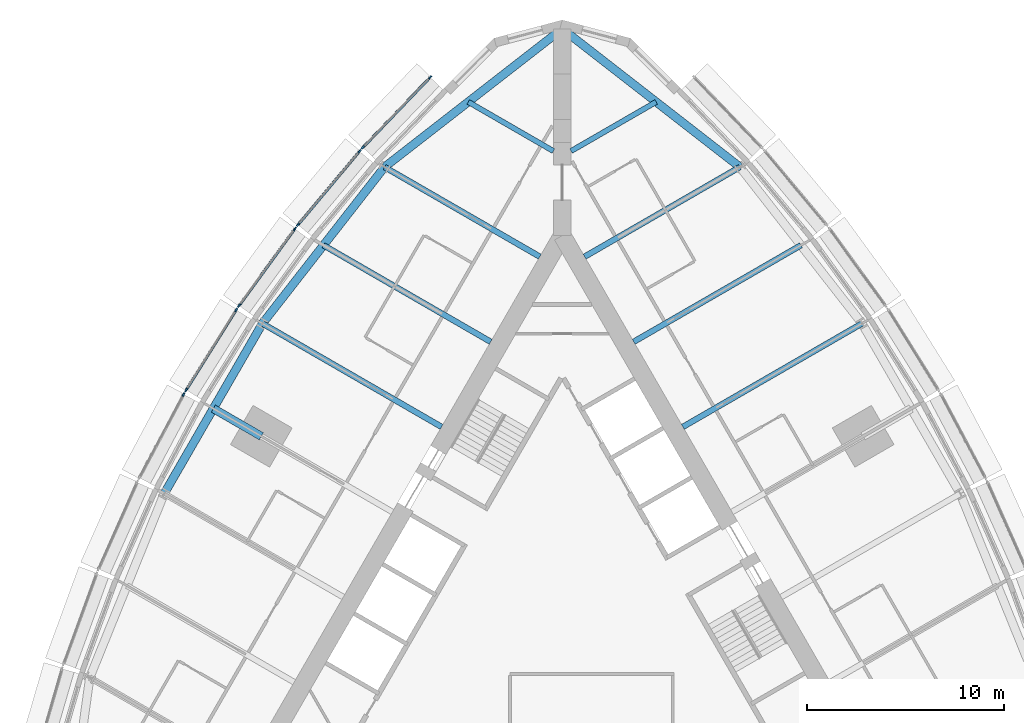
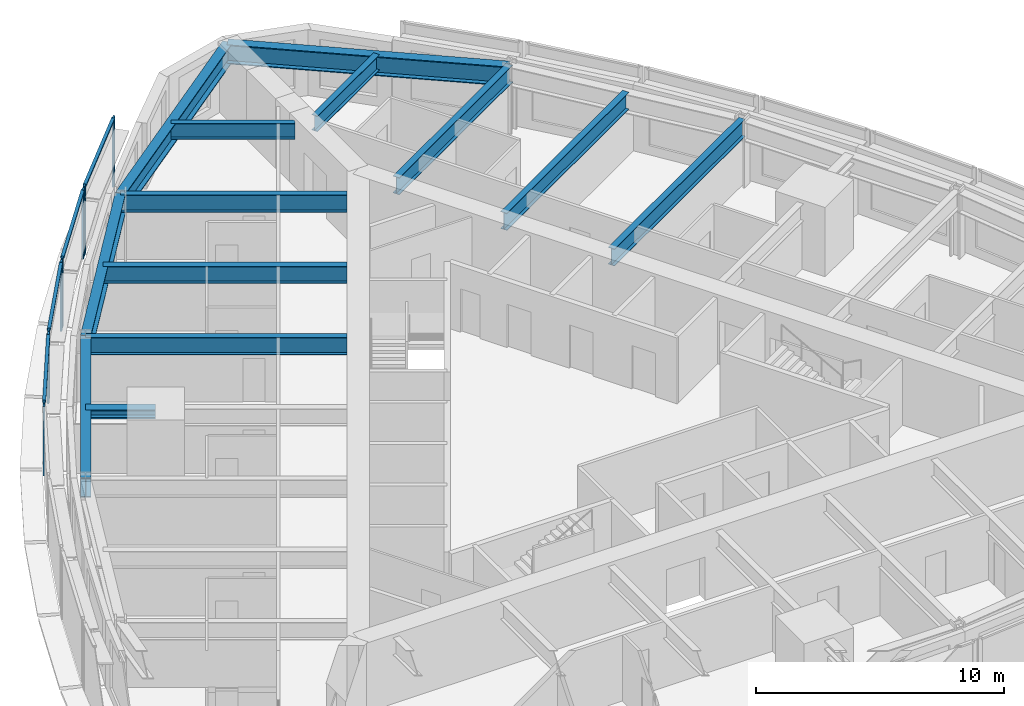
# One storey, part 4 of 14: 13 beams, 13 members, 5 elements without a shape of their own.
"""IFC4 building model written with IfcOpenShell, lengths in metres."""

import ifcopenshell
import ifcopenshell.guid

model = None  # the IFC model being written
_history = None  # IfcOwnerHistory: only IFC2X3 demands one
_inside = {}  # id of a spatial element -> (the spatial element, [elements in it])
_under = {}  # id of a project, library or spatial element -> (it, [spatial elements below it])
_declared = {}  # id of a project -> (the project, [libraries it declares])
_typed = {}  # id of a type object -> (the type object, [elements of that type])
_made_of = {}  # id of a material, layer set ... -> (it, [elements and type objects made of it])


def new_model(schema):
    """Start an empty IFC model of exactly this schema.

    Asked for "IFC4X3", IfcOpenShell would pick the latest addendum, in which some entities
    have other attributes; the version numbers below select the first issue.
    IFC2X3 requires an IfcOwnerHistory on every rooted entity: one is made here for all.
    """
    global model, _history
    if schema == "IFC4X3":
        model = ifcopenshell.file(schema_version=(4, 3, 0, 0))
    else:
        model = ifcopenshell.file(schema=schema)
    _inside.clear()
    _under.clear()
    _declared.clear()
    _typed.clear()
    _made_of.clear()
    _history = None
    if model.schema == "IFC2X3":
        org = make("IfcOrganization", Name="unknown")
        user = make(
            "IfcPersonAndOrganization",
            ThePerson=make("IfcPerson", FamilyName="unknown"),
            TheOrganization=org,
        )
        app = make(
            "IfcApplication",
            ApplicationDeveloper=org,
            Version="unknown",
            ApplicationFullName="unknown",
            ApplicationIdentifier="unknown",
        )
        _history = make(
            "IfcOwnerHistory",
            OwningUser=user,
            OwningApplication=app,
            ChangeAction="ADDED",
            CreationDate=0,
        )
    return model


def make(cls, **values):
    """One entity of the class cls with the attributes given. An attribute that is None is left unset."""
    return model.create_entity(
        cls, **{name: value for name, value in values.items() if value is not None}
    )


def rooted(cls, **values):
    """An entity with a GlobalId (a new one), such as an element, a storey or a relation."""
    return make(cls, GlobalId=ifcopenshell.guid.new(), OwnerHistory=_history, **values)


def si_unit(unit_type, name, prefix=None):
    """IfcSIUnit, for example si_unit("LENGTHUNIT", "METRE", prefix="MILLI")."""
    return make("IfcSIUnit", UnitType=unit_type, Prefix=prefix, Name=name)


def assignment(units):
    """IfcUnitAssignment: the units of a project."""
    return None if units is None else make("IfcUnitAssignment", Units=units)


def point(xyz):
    """IfcCartesianPoint."""
    return None if xyz is None else make("IfcCartesianPoint", Coordinates=xyz)


def direction(xyz):
    """IfcDirection."""
    return None if xyz is None else make("IfcDirection", DirectionRatios=xyz)


def frame(location, z_axis=None, x_axis=None):
    """IfcAxis2Placement3D, a coordinate frame: its origin and axes. An axis left out is left unset."""
    return make(
        "IfcAxis2Placement3D",
        Location=point(location),
        Axis=direction(z_axis),
        RefDirection=direction(x_axis),
    )


def frame_2d(location, x_axis=None):
    """IfcAxis2Placement2D, a coordinate frame in the plane: its origin and x axis."""
    return make(
        "IfcAxis2Placement2D", Location=point(location), RefDirection=direction(x_axis)
    )


def origin():
    """The frame at (0, 0, 0) with its axes left unset."""
    return frame((0.0, 0.0, 0.0))


def origin_2d():
    """The frame at (0, 0) in the plane with its x axis left unset."""
    return frame_2d((0.0, 0.0))


def place(relative_to, where):
    """IfcLocalPlacement: puts the frame where relative to a parent placement (None: the world)."""
    return make(
        "IfcLocalPlacement", PlacementRelTo=relative_to, RelativePlacement=where
    )


def context(
    kind, dimensions, precision=None, world=None, true_north=None, identifier=None
):
    """IfcGeometricRepresentationContext, for example the 3D "Model" context."""
    return make(
        "IfcGeometricRepresentationContext",
        ContextIdentifier=identifier,
        ContextType=kind,
        CoordinateSpaceDimension=dimensions,
        Precision=precision,
        WorldCoordinateSystem=world,
        TrueNorth=true_north,
    )


def subcontext(parent, identifier, kind, view, scale=None):
    """IfcGeometricRepresentationSubContext, for example "Body" below "Model"."""
    return make(
        "IfcGeometricRepresentationSubContext",
        ContextIdentifier=identifier,
        ContextType=kind,
        ParentContext=parent,
        TargetScale=scale,
        TargetView=view,
    )


def project(units=None, contexts=None):
    """IfcProject with its units and contexts."""
    return rooted(
        "IfcProject",
        Name="project",
        RepresentationContexts=contexts,
        UnitsInContext=assignment(units),
    )


def spatial(cls, under=None, at=None, **own):
    """A site, building, storey or space (cls), placed at a placement, below another one or the project."""
    s = rooted(cls, ObjectPlacement=at, **own)
    if under is not None:
        _under.setdefault(under.id(), (under, []))[1].append(s)
    return s


def profile(cls, at=None, kind="AREA", **sizes):
    """A parametric profile (cls). Its sizes go by their IFC names, for example OverallWidth=200.0."""
    return make(cls, ProfileType=kind, Position=at, **sizes)


def rectangle(**sizes):
    """IfcRectangleProfileDef."""
    return profile("IfcRectangleProfileDef", **sizes)


def i_section(**sizes):
    """IfcIShapeProfileDef."""
    return profile("IfcIShapeProfileDef", **sizes)


def extrude(swept, where, along, depth):
    """IfcExtrudedAreaSolid: the profile swept, set in the frame where, extruded along a direction by depth."""
    return make(
        "IfcExtrudedAreaSolid",
        SweptArea=swept,
        Position=where,
        ExtrudedDirection=direction(along),
        Depth=depth,
    )


def shape(context_of_items, identifier, shape_type, items):
    """IfcShapeRepresentation: the items that make up one representation, for example the "Body"."""
    return make(
        "IfcShapeRepresentation",
        ContextOfItems=context_of_items,
        RepresentationIdentifier=identifier,
        RepresentationType=shape_type,
        Items=items,
    )


def material(Name=None, Category=None):
    """IfcMaterial."""
    return make("IfcMaterial", Name=Name, Category=Category)


def material_profile(
    of_material, cross_section, Name=None, Category=None, Priority=None
):
    """IfcMaterialProfile: a cross section and its material."""
    return make(
        "IfcMaterialProfile",
        Name=Name,
        Material=of_material,
        Profile=cross_section,
        Priority=Priority,
        Category=Category,
    )


def profile_set(profiles, Name=None, composite=None):
    """IfcMaterialProfileSet."""
    return make(
        "IfcMaterialProfileSet",
        Name=Name,
        MaterialProfiles=profiles,
        CompositeProfile=composite,
    )


def made_of(thing, what):
    """Note that an element or type object is made of a material, layer set ...; save() writes the relation."""
    if what is not None:
        _made_of.setdefault(what.id(), (what, []))[1].append(thing)
    return thing


def type_object(cls, material=None, **own):
    """A type object (cls), such as IfcWallType, which elements share."""
    return made_of(rooted(cls, **own), material)


def element(
    cls,
    number,
    at=None,
    inside=None,
    cuts=None,
    type_object=None,
    material=None,
    context=None,
    identifier="Body",
    shape_type=None,
    held_by="IfcProductDefinitionShape",
    body=None,
    shapes=None,
    **own,
):
    """One element of the class cls, such as IfcWall. Its Tag is "e" and its number.

    at: its placement. inside: the storey or other place that contains it. cuts: it is an
    opening in that element (IfcRelVoidsElement). A single representation is given by context,
    identifier, shape_type and body (its items); several are given by shapes. held_by: the class
    of the entity that holds the representations. save() writes the other relations.
    """
    e = rooted(cls, Tag="e%d" % number, ObjectPlacement=at, **own)
    if body is not None:
        shapes = [shape(context, identifier, shape_type, body)]
    if shapes is not None:
        e.Representation = make(held_by, Representations=shapes)
    if inside is not None:
        _inside.setdefault(inside.id(), (inside, []))[1].append(e)
    if cuts is not None:
        rooted(
            "IfcRelVoidsElement", RelatingBuildingElement=cuts, RelatedOpeningElement=e
        )
    if type_object is not None:
        _typed.setdefault(type_object.id(), (type_object, []))[1].append(e)
    return made_of(e, material)


def aggregate(whole, parts):
    """IfcRelAggregates: a whole, such as a stair, and the parts it consists of."""
    return rooted("IfcRelAggregates", RelatingObject=whole, RelatedObjects=parts)


def save(model, path):
    """Write the relations noted so far, then the file.

    IfcRelAggregates (storeys below a building ...), IfcRelContainedInSpatialStructure (elements
    in a storey), IfcRelDefinesByType, IfcRelAssociatesMaterial and IfcRelDeclares: one each for
    every whole, place, type object, material and project.
    """
    for whole, parts in _under.values():
        aggregate(whole, parts)
    for where, things in _inside.values():
        rooted(
            "IfcRelContainedInSpatialStructure",
            RelatedElements=things,
            RelatingStructure=where,
        )
    for kind, things in _typed.values():
        rooted("IfcRelDefinesByType", RelatedObjects=things, RelatingType=kind)
    for what, things in _made_of.values():
        rooted("IfcRelAssociatesMaterial", RelatedObjects=things, RelatingMaterial=what)
    for by, libraries in _declared.values():
        rooted("IfcRelDeclares", RelatingContext=by, RelatedDefinitions=libraries)
    model.write(path)


model = new_model("IFC4")

# Units and contexts
model_context = context("Model", 3, precision=1e-05, world=origin(), true_north=direction((0.0, 1.0)))
body_context = subcontext(model_context, "Body", "Model", "MODEL_VIEW")
ifc_project = project(units=[si_unit("LENGTHUNIT", "METRE"), si_unit("AREAUNIT", "SQUARE_METRE"), si_unit("VOLUMEUNIT", "CUBIC_METRE"), si_unit("PLANEANGLEUNIT", "RADIAN"), si_unit("MASSUNIT", "GRAM", prefix="KILO")], contexts=[model_context])

# Site, building, storey
site_placement = place(None, origin())
site = spatial("IfcSite", under=ifc_project, at=site_placement, CompositionType="ELEMENT")
building_placement = place(site_placement, origin())
building = spatial("IfcBuilding", under=site, at=building_placement, Name="Trikona Tower", CompositionType="ELEMENT")
storey_placement = place(building_placement, frame((0.0, 0.0, 182.699951171875)))
storey = spatial("IfcBuildingStorey", under=building, at=storey_placement, Name="L49", CompositionType="ELEMENT", Elevation=182.699951171875)

# Curtain wall, members
ifc_material_1 = material(Name="Aluminium curtain wall system", Category="aluminium")
curtain_wall_type = type_object("IfcCurtainWallType", Name="Curtain wall DS2", PredefinedType="NOTDEFINED", material=ifc_material_1)
curtain_wall_1_placement = place(storey_placement, origin())
curtain_wall_1 = element("IfcCurtainWall", 1, at=curtain_wall_1_placement, inside=storey, type_object=curtain_wall_type, Name="Curtain wall DS2 L49", PredefinedType="NOTDEFINED")
ifc_material_2 = material(Name="Aluminium mullion, pale anodised", Category="aluminium")
ifc_material_profile_1 = material_profile(ifc_material_2, rectangle(XDim=0.080078125, YDim=0.199951171875, at=origin_2d()), Name="MUL-DS2")
ifc_profile_set_1 = profile_set([ifc_material_profile_1], Name="Aluminium mullion, pale anodised")
member_type_1 = type_object("IfcMemberType", Name="Mullion DS2 80x200", PredefinedType="MULLION", material=ifc_profile_set_1)
member_1_placement = place(storey_placement, frame((-6.718994140625, 27.1083984375, 0.0), z_axis=(0.0, 0.0, 1.0), x_axis=(0.722158330767, -0.691727797117, 0.0)))
member_1 = element("IfcMember", 2, at=member_1_placement, type_object=member_type_1, Name="CW-DS2 mullion 1", PredefinedType="MULLION", context=body_context, shape_type="SweptSolid", body=[
    extrude(rectangle(XDim=0.080078125, YDim=0.199951171875, at=origin_2d()), origin(), (0.0, 0.0, 1.0), 3.400146484375),
])
member_2_placement = place(storey_placement, frame((-10.1416015625, 23.535400390625, 0.0), z_axis=(0.0, 0.0, 1.0), x_axis=(0.722158330767, -0.691727797117, 0.0)))
member_2 = element("IfcMember", 3, at=member_2_placement, type_object=member_type_1, Name="CW-DS2 mullion 2", PredefinedType="MULLION", context=body_context, shape_type="SweptSolid", body=[
    extrude(rectangle(XDim=0.080078125, YDim=0.199951171875, at=origin_2d()), origin(), (0.0, 0.0, 1.0), 3.400146484375),
])

curtain_wall_2_placement = place(storey_placement, origin())
curtain_wall_2 = element("IfcCurtainWall", 4, at=curtain_wall_2_placement, inside=storey, type_object=curtain_wall_type, Name="Curtain wall DS2 L49", PredefinedType="NOTDEFINED")
member_3_placement = place(storey_placement, frame((-10.315185546875, 23.34130859375, 0.0), z_axis=(0.0, 0.0, 1.0), x_axis=(0.766866678271, -0.641806433248, 0.0)))
member_3 = element("IfcMember", 5, at=member_3_placement, type_object=member_type_1, Name="CW-DS2 mullion 1", PredefinedType="MULLION", context=body_context, shape_type="SweptSolid", body=[
    extrude(rectangle(XDim=0.080078125, YDim=0.199951171875, at=origin_2d()), origin(), (0.0, 0.0, 1.0), 3.400146484375),
])
member_4_placement = place(storey_placement, frame((-13.44482421875, 19.602294921875, 0.0), z_axis=(0.0, 0.0, 1.0), x_axis=(0.766866678271, -0.641806433248, 0.0)))
member_4 = element("IfcMember", 6, at=member_4_placement, type_object=member_type_1, Name="CW-DS2 mullion 2", PredefinedType="MULLION", context=body_context, shape_type="SweptSolid", body=[
    extrude(rectangle(XDim=0.080078125, YDim=0.199951171875, at=origin_2d()), origin(), (0.0, 0.0, 1.0), 3.400146484375),
])

curtain_wall_3_placement = place(storey_placement, origin())
curtain_wall_3 = element("IfcCurtainWall", 7, at=curtain_wall_3_placement, inside=storey, type_object=curtain_wall_type, Name="Curtain wall DS2 L49", PredefinedType="NOTDEFINED")
member_5_placement = place(storey_placement, frame((-13.605712890625, 19.39599609375, 0.0), z_axis=(0.0, 0.0, 1.0), x_axis=(0.80908576332, -0.587690588313, 0.0)))
member_5 = element("IfcMember", 8, at=member_5_placement, type_object=member_type_1, Name="CW-DS2 mullion 1", PredefinedType="MULLION", context=body_context, shape_type="SweptSolid", body=[
    extrude(rectangle(XDim=0.080078125, YDim=0.199951171875, at=origin_2d()), origin(), (0.0, 0.0, 1.0), 3.400146484375),
])
member_6_placement = place(storey_placement, frame((-16.442626953125, 15.489990234375, 0.0), z_axis=(0.0, 0.0, 1.0), x_axis=(0.80908576332, -0.587690588313, 0.0)))
member_6 = element("IfcMember", 9, at=member_6_placement, type_object=member_type_1, Name="CW-DS2 mullion 2", PredefinedType="MULLION", context=body_context, shape_type="SweptSolid", body=[
    extrude(rectangle(XDim=0.080078125, YDim=0.199951171875, at=origin_2d()), origin(), (0.0, 0.0, 1.0), 3.400146484375),
])

curtain_wall_4_placement = place(storey_placement, origin())
curtain_wall_4 = element("IfcCurtainWall", 10, at=curtain_wall_4_placement, inside=storey, type_object=curtain_wall_type, Name="Curtain wall DS2 L49", PredefinedType="NOTDEFINED")
member_7_placement = place(storey_placement, frame((-16.589599609375, 15.2724609375, 0.0), z_axis=(0.0, 0.0, 1.0), x_axis=(0.847998304006, -0.529998940002, 0.0)))
member_7 = element("IfcMember", 11, at=member_7_placement, type_object=member_type_1, Name="CW-DS2 mullion 1", PredefinedType="MULLION", context=body_context, shape_type="SweptSolid", body=[
    extrude(rectangle(XDim=0.080078125, YDim=0.199951171875, at=origin_2d()), origin(), (0.0, 0.0, 1.0), 3.400146484375),
])
member_8_placement = place(storey_placement, frame((-19.135009765625, 11.199462890625, 0.0), z_axis=(0.0, 0.0, 1.0), x_axis=(0.847998304006, -0.529998940002, 0.0)))
member_8 = element("IfcMember", 12, at=member_8_placement, type_object=member_type_1, Name="CW-DS2 mullion 2", PredefinedType="MULLION", context=body_context, shape_type="SweptSolid", body=[
    extrude(rectangle(XDim=0.080078125, YDim=0.199951171875, at=origin_2d()), origin(), (0.0, 0.0, 1.0), 3.400146484375),
])

# Curtain wall, member
curtain_wall_5_placement = place(storey_placement, origin())
curtain_wall_5 = element("IfcCurtainWall", 13, at=curtain_wall_5_placement, inside=storey, type_object=curtain_wall_type, Name="Curtain wall DS2 L49", PredefinedType="NOTDEFINED")
member_9_placement = place(storey_placement, frame((-19.2666015625, 10.9716796875, 0.0), z_axis=(0.0, 0.0, 1.0), x_axis=(0.882996107343, -0.469380308937, 0.0)))
member_9 = element("IfcMember", 14, at=member_9_placement, type_object=member_type_1, Name="CW-DS2 mullion 1", PredefinedType="MULLION", context=body_context, shape_type="SweptSolid", body=[
    extrude(rectangle(XDim=0.080078125, YDim=0.199951171875, at=origin_2d()), origin(), (0.0, 0.0, 1.0), 3.400146484375),
])
aggregate(curtain_wall_5, [member_9])

# Beams
ifc_material_3 = material(Name="Steel ASTM A992 Grade 50", Category="steel")
ifc_material_profile_2 = material_profile(ifc_material_3, i_section(OverallWidth=0.419189453125, OverallDepth=0.45458984375, WebThickness=0.042236328125, FlangeThickness=0.067626953125, at=origin_2d()), Name="W14X370")
ifc_profile_set_2 = profile_set([ifc_material_profile_2], Name="Steel ASTM A992 Grade 50")
beam_type_1 = type_object("IfcBeamType", Name="Steel beam W14x370 (apex bracket)", PredefinedType="BEAM", material=ifc_profile_set_2)
beam_1_placement = place(storey_placement, frame((-15.311767578125, 8.84033203125, 3.0078125), z_axis=(-0.86605005072, 0.499957307824, 0.0), x_axis=(-0.499957307824, -0.86605005072, 0.0)))
element("IfcBeam", 15, at=beam_1_placement, inside=storey, type_object=beam_type_1, Name="Cantilever bracket L50 F3", PredefinedType="BEAM", context=body_context, shape_type="SweptSolid", body=[
    extrude(i_section(OverallWidth=0.419189453125, OverallDepth=0.45458984375, WebThickness=0.042236328125, FlangeThickness=0.067626953125, at=origin_2d()), origin(), (0.0, 0.0, 1.0), 2.819580078125),
])
ifc_material_4 = material(Name="Steel ASTM A992 Grade 50", Category="steel")
ifc_material_profile_3 = material_profile(ifc_material_4, i_section(OverallWidth=0.2666015625, OverallDepth=0.76953125, WebThickness=0.015625, FlangeThickness=0.025390625, at=origin_2d()), Name="W30X132")
ifc_profile_set_3 = profile_set([ifc_material_profile_3], Name="Steel ASTM A992 Grade 50")
beam_type_2 = type_object("IfcBeamType", Name="Steel beam W30x132 (wedge)", PredefinedType="BEAM", material=ifc_profile_set_3)
for number, where, z_axis, x_axis, name in (
    (16, (0.449951171875, 23.353759765625, 2.850341796875), (0.866038434829, 0.49997742889, 0.0), (-0.49997742889, 0.866038434829, 0.0), "Floor beam L50 F2 u20"),
    (17, (-0.449951171875, 23.353759765625, 2.850341796875), (-0.866038434829, 0.49997742889, 0.0), (-0.49997742889, -0.866038434829, 0.0), "Floor beam L50 F3 u-20"),
):
    element("IfcBeam", number, at=place(storey_placement, frame(where, z_axis=z_axis, x_axis=x_axis)), inside=storey, type_object=beam_type_2, Name=name, PredefinedType="BEAM", context=body_context, shape_type="SweptSolid", body=[
        extrude(i_section(OverallWidth=0.2666015625, OverallDepth=0.76953125, WebThickness=0.015625, FlangeThickness=0.025390625, at=origin_2d()), origin(), (0.0, 0.0, 1.0), 5.000732421875),
    ])
ifc_material_5 = material(Name="Steel ASTM A992 Grade 50", Category="steel")
ifc_material_profile_4 = material_profile(ifc_material_5, i_section(OverallWidth=0.2919921875, OverallDepth=0.845703125, WebThickness=0.015380859375, FlangeThickness=0.0244140625, at=origin_2d()), Name="W33X141")
ifc_profile_set_4 = profile_set([ifc_material_profile_4], Name="Steel ASTM A992 Grade 50")
beam_type_3 = type_object("IfcBeamType", Name="Steel beam W33x141 (radial typ)", PredefinedType="BEAM", material=ifc_profile_set_4)
beam_2_placement = place(storey_placement, frame((6.1396484375, 9.318359375, 2.812255859375), z_axis=(0.866036080828, 0.499981506362, 0.0), x_axis=(-0.499981506362, 0.866036080828, 0.0)))
element("IfcBeam", 18, at=beam_2_placement, inside=storey, type_object=beam_type_3, Name="Floor beam L50 F2 u5", PredefinedType="BEAM", context=body_context, shape_type="SweptSolid", body=[
    extrude(i_section(OverallWidth=0.2919921875, OverallDepth=0.845703125, WebThickness=0.015380859375, FlangeThickness=0.0244140625, at=origin_2d()), origin(), (0.0, 0.0, 1.0), 10.52392578125),
])
beam_3_placement = place(storey_placement, frame((3.6396484375, 13.6484375, 2.812255859375), z_axis=(0.866030807744, 0.499990639951, 0.0), x_axis=(-0.499990639951, 0.866030807744, 0.0)))
element("IfcBeam", 19, at=beam_3_placement, inside=storey, type_object=beam_type_3, Name="Floor beam L50 F2 u10", PredefinedType="BEAM", context=body_context, shape_type="SweptSolid", body=[
    extrude(i_section(OverallWidth=0.2919921875, OverallDepth=0.845703125, WebThickness=0.015380859375, FlangeThickness=0.0244140625, at=origin_2d()), origin(), (0.0, 0.0, 1.0), 9.823974609375),
])
for number, where, z_axis, x_axis, name in (
    (20, (1.1396484375, 17.978515625, 2.812255859375), (0.866024725532, 0.500001174766, 0.0), (-0.500001174766, 0.866024725532, 0.0), "Floor beam L50 F2 u15"),
    (21, (-1.1396484375, 17.978515625, 2.812255859375), (-0.866024725532, 0.500001174766, 0.0), (-0.500001174766, -0.866024725532, 0.0), "Floor beam L50 F3 u-15"),
):
    element("IfcBeam", number, at=place(storey_placement, frame(where, z_axis=z_axis, x_axis=x_axis)), inside=storey, type_object=beam_type_3, Name=name, PredefinedType="BEAM", context=body_context, shape_type="SweptSolid", body=[
        extrude(i_section(OverallWidth=0.2919921875, OverallDepth=0.845703125, WebThickness=0.015380859375, FlangeThickness=0.0244140625, at=origin_2d()), origin(), (0.0, 0.0, 1.0), 9.1240234375),
    ])
beam_4_placement = place(storey_placement, frame((-3.6396484375, 13.6484375, 2.812255859375), z_axis=(-0.866030807744, 0.499990639951, 0.0), x_axis=(-0.499990639951, -0.866030807744, 0.0)))
element("IfcBeam", 22, at=beam_4_placement, inside=storey, type_object=beam_type_3, Name="Floor beam L50 F3 u-10", PredefinedType="BEAM", context=body_context, shape_type="SweptSolid", body=[
    extrude(i_section(OverallWidth=0.2919921875, OverallDepth=0.845703125, WebThickness=0.015380859375, FlangeThickness=0.0244140625, at=origin_2d()), origin(), (0.0, 0.0, 1.0), 9.823974609375),
])
beam_5_placement = place(storey_placement, frame((-6.1396484375, 9.318359375, 2.812255859375), z_axis=(-0.866036080828, 0.499981506362, 0.0), x_axis=(-0.499981506362, -0.866036080828, 0.0)))
element("IfcBeam", 23, at=beam_5_placement, inside=storey, type_object=beam_type_3, Name="Floor beam L50 F3 u-5", PredefinedType="BEAM", context=body_context, shape_type="SweptSolid", body=[
    extrude(i_section(OverallWidth=0.2919921875, OverallDepth=0.845703125, WebThickness=0.015380859375, FlangeThickness=0.0244140625, at=origin_2d()), origin(), (0.0, 0.0, 1.0), 10.52392578125),
])
ifc_material_6 = material(Name="Steel ASTM A992 Grade 50", Category="steel")
ifc_material_profile_5 = material_profile(ifc_material_6, i_section(OverallWidth=0.424072265625, OverallDepth=0.947509765625, WebThickness=0.02392578125, FlangeThickness=0.042724609375, at=origin_2d()), Name="W36X302")
ifc_profile_set_5 = profile_set([ifc_material_profile_5], Name="Steel ASTM A992 Grade 50")
beam_type_4 = type_object("IfcBeamType", Name="Steel beam W36x302 (spandrel)", PredefinedType="SPANDREL", material=ifc_profile_set_5)
for number, where, z_axis, x_axis, name in (
    (24, (9.041259765625, 22.54052734375, 2.76123046875), (-0.789367137808, 0.613921429621, 0.0), (-0.613921429621, -0.789367137808, 0.0), "Spandrel beam L50 F2-5"),
    (25, (0.0, 29.572265625, 2.76123046875), (-0.789367137808, -0.613921429621, 0.0), (0.613921429621, -0.789367137808, 0.0), "Spandrel beam L50 F3-1"),
):
    element("IfcBeam", number, at=place(storey_placement, frame(where, z_axis=z_axis, x_axis=x_axis)), inside=storey, type_object=beam_type_4, Name=name, PredefinedType="SPANDREL", context=body_context, shape_type="SweptSolid", body=[
        extrude(i_section(OverallWidth=0.424072265625, OverallDepth=0.947509765625, WebThickness=0.02392578125, FlangeThickness=0.042724609375, at=origin_2d()), origin(), (0.0, 0.0, 1.0), 11.453857421875),
    ])
beam_6_placement = place(storey_placement, frame((-9.041259765625, 22.54052734375, 2.76123046875), z_axis=(-0.615232009054, -0.788346101046, 0.0), x_axis=(0.788346101046, -0.615232009054, 0.0)))
element("IfcBeam", 26, at=beam_6_placement, inside=storey, type_object=beam_type_4, Name="Spandrel beam L50 F3-2", PredefinedType="SPANDREL", context=body_context, shape_type="SweptSolid", body=[
    extrude(i_section(OverallWidth=0.424072265625, OverallDepth=0.947509765625, WebThickness=0.02392578125, FlangeThickness=0.042724609375, at=origin_2d()), origin(), (0.0, 0.0, 1.0), 10.09765625),
])
beam_7_placement = place(storey_placement, frame((-15.253662109375, 14.580078125, 2.76123046875), z_axis=(-0.500004234368, -0.866022959057, 0.0), x_axis=(0.866022959057, -0.500004234368, 0.0)))
element("IfcBeam", 27, at=beam_7_placement, inside=storey, type_object=beam_type_4, Name="Spandrel beam L50 F3-3", PredefinedType="SPANDREL", context=body_context, shape_type="SweptSolid", body=[
    extrude(i_section(OverallWidth=0.424072265625, OverallDepth=0.947509765625, WebThickness=0.02392578125, FlangeThickness=0.042724609375, at=origin_2d()), origin(), (0.0, 0.0, 1.0), 10.0),
])

# Member
ifc_material_7 = material(Name="Aluminium transom, pale anodised", Category="aluminium")
ifc_material_profile_6 = material_profile(ifc_material_7, rectangle(XDim=0.139892578125, YDim=0.080078125, at=origin_2d()), Name="TRN-DS2")
ifc_profile_set_6 = profile_set([ifc_material_profile_6], Name="Aluminium transom, pale anodised")
member_type_2 = type_object("IfcMemberType", Name="Transom DS2 80x140", PredefinedType="USERDEFINED", material=ifc_profile_set_6)
member_10_placement = place(storey_placement, frame((-6.746826171875, 27.07958984375, 3.360107421875), z_axis=(-0.691721246785, -0.722164605022, 0.0), x_axis=(0.722164605022, -0.691721246785, 0.0)))
member_10 = element("IfcMember", 28, at=member_10_placement, type_object=member_type_2, Name="CW-DS2 transom 1.1", ObjectType="TRANSOM", PredefinedType="USERDEFINED", context=body_context, shape_type="SweptSolid", body=[
    extrude(rectangle(XDim=0.139892578125, YDim=0.080078125, at=origin_2d()), origin(), (0.0, 0.0, 1.0), 4.867919921875),
])

aggregate(curtain_wall_1, [member_1, member_2, member_10])

member_11_placement = place(storey_placement, frame((-10.341064453125, 23.310791015625, 3.360107421875), z_axis=(-0.641770294892, -0.766896921753, 0.0), x_axis=(0.766896921753, -0.641770294892, 0.0)))
member_11 = element("IfcMember", 29, at=member_11_placement, type_object=member_type_2, Name="CW-DS2 transom 1.1", ObjectType="TRANSOM", PredefinedType="USERDEFINED", context=body_context, shape_type="SweptSolid", body=[
    extrude(rectangle(XDim=0.139892578125, YDim=0.080078125, at=origin_2d()), origin(), (0.0, 0.0, 1.0), 4.7958984375),
])

aggregate(curtain_wall_2, [member_3, member_4, member_11])

member_12_placement = place(storey_placement, frame((-13.629150390625, 19.363525390625, 3.360107421875), z_axis=(-0.587694585883, -0.809082859616, 0.0), x_axis=(0.809082859616, -0.587694585883, 0.0)))
member_12 = element("IfcMember", 30, at=member_12_placement, type_object=member_type_2, Name="CW-DS2 transom 1.1", ObjectType="TRANSOM", PredefinedType="USERDEFINED", context=body_context, shape_type="SweptSolid", body=[
    extrude(rectangle(XDim=0.139892578125, YDim=0.080078125, at=origin_2d()), origin(), (0.0, 0.0, 1.0), 4.747314453125),
])

aggregate(curtain_wall_3, [member_5, member_6, member_12])

member_13_placement = place(storey_placement, frame((-16.610595703125, 15.238525390625, 3.360107421875), z_axis=(-0.530031463794, -0.847977975769, 0.0), x_axis=(0.847977975769, -0.530031463794, 0.0)))
member_13 = element("IfcMember", 31, at=member_13_placement, type_object=member_type_2, Name="CW-DS2 transom 1.1", ObjectType="TRANSOM", PredefinedType="USERDEFINED", context=body_context, shape_type="SweptSolid", body=[
    extrude(rectangle(XDim=0.139892578125, YDim=0.080078125, at=origin_2d()), origin(), (0.0, 0.0, 1.0), 4.72314453125),
])

aggregate(curtain_wall_4, [member_7, member_8, member_13])

save(model, "model.ifc")
